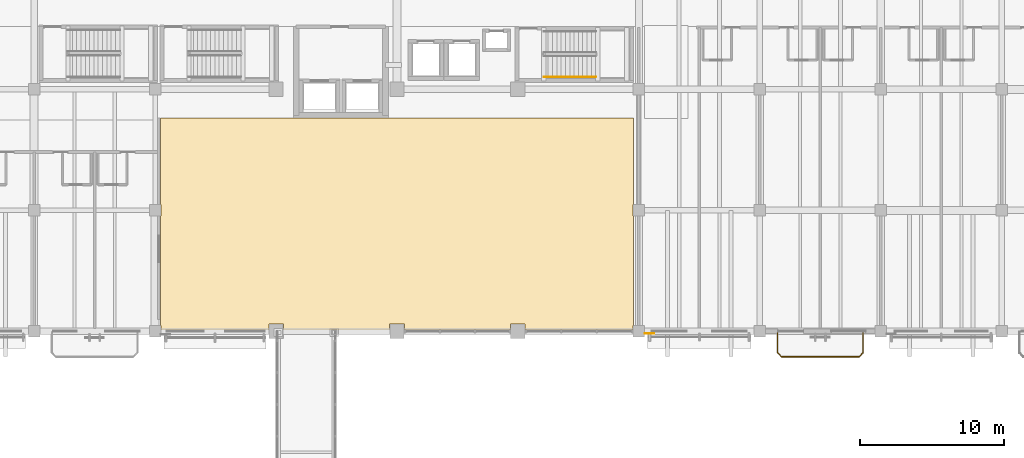
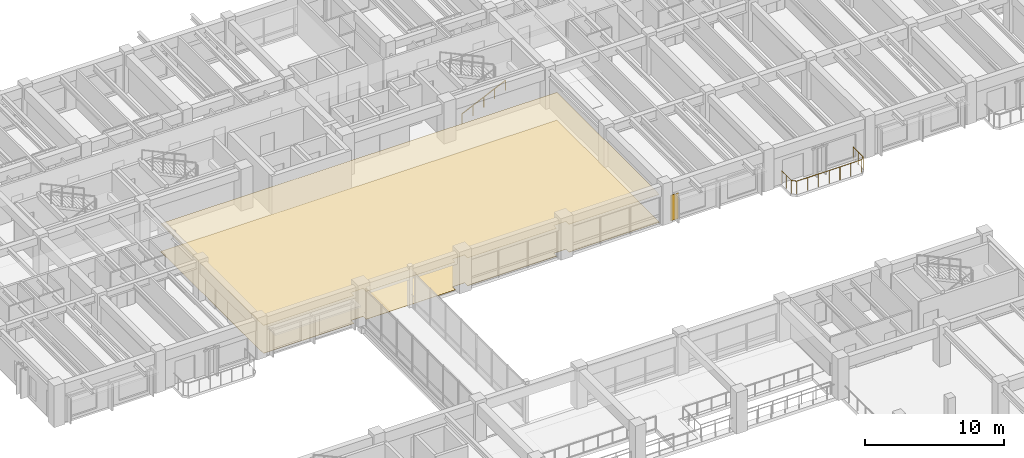
# One storey, part 101 of 118: 3 coverings, 2 railings.
"""IFC4 building model written with IfcOpenShell, lengths in metres."""

from ifc_helpers import new_model, si_unit, direction, frame, origin, origin_2d, place, context, subcontext, project, spatial, polyline, circle, outline, extrude, material, layer, layer_set, type_object, element, save


model = new_model("IFC4")

# Units and contexts
model_context = context("Model", 3, precision=1e-05, world=origin(), true_north=direction((0.0, 1.0)))
body_context = subcontext(model_context, "Body", "Model", "MODEL_VIEW")
ifc_project = project(units=[si_unit("LENGTHUNIT", "METRE"), si_unit("AREAUNIT", "SQUARE_METRE"), si_unit("VOLUMEUNIT", "CUBIC_METRE"), si_unit("PLANEANGLEUNIT", "RADIAN"), si_unit("MASSUNIT", "GRAM", prefix="KILO")], contexts=[model_context])

# Site, building, storey
site_placement = place(None, origin())
site = spatial("IfcSite", under=ifc_project, at=site_placement, CompositionType="ELEMENT")
building_placement = place(site_placement, origin())
building = spatial("IfcBuilding", under=site, at=building_placement, Name="Cumbredor Promenade Congress Hotel", CompositionType="ELEMENT")
storey_placement = place(building_placement, frame((0.0, 0.0, 3.919921875)))
storey = spatial("IfcBuildingStorey", under=building, at=storey_placement, Name="L01", CompositionType="ELEMENT", Elevation=3.919921875)

# Coverings
ifc_material_1 = material(Name="Acoustic mineral-fiber and gypsum ceiling")
ifc_layer_1 = layer(ifc_material_1, 0.01806640625, Name="Acoustic mineral-fiber and gypsum ceiling")
ifc_layer_set_1 = layer_set([ifc_layer_1], Name="Acoustic mineral-fiber and gypsum ceiling")
covering_type_1 = type_object("IfcCoveringType", Name="Acoustic Perforated Gypsum Ceiling CLG-01 18mm", PredefinedType="CEILING", material=ifc_layer_set_1)
covering_1_placement = place(storey_placement, frame((0.0, 0.0, 2.443115234375)))
element("IfcCovering", 1, at=covering_1_placement, inside=storey, type_object=covering_type_1, Name="Hotel Mezzanine Conference Ballroom Acoustic Ceiling", PredefinedType="CEILING", context=body_context, shape_type="SweptSolid", body=[
    extrude(outline(polyline([(33.094970703125, 84.080078125), (25.705078125, 84.080078125), (25.705078125, 84.5048828125), (24.695068359375, 84.5048828125), (24.695068359375, 84.080078125), (17.205078125, 84.080078125), (17.205078125, 84.405029296875), (17.179931640625, 84.405029296875), (17.179931640625, 91.9951171875), (17.205078125, 91.9951171875), (17.205078125, 92.804931640625), (17.179931640625, 92.804931640625), (17.179931640625, 98.820068359375), (50.02001953125, 98.820068359375), (50.02001953125, 92.804931640625), (49.9951171875, 92.804931640625), (49.9951171875, 91.9951171875), (50.02001953125, 91.9951171875), (50.02001953125, 84.405029296875), (49.9951171875, 84.405029296875), (49.9951171875, 84.080078125), (42.5048828125, 84.080078125), (42.5048828125, 84.5048828125), (41.4951171875, 84.5048828125), (41.4951171875, 84.080078125), (34.10498046875, 84.080078125), (34.10498046875, 84.5048828125), (33.094970703125, 84.5048828125), (33.094970703125, 84.080078125)])), origin(), (0.0, 0.0, 1.0), 0.01806640625),
])
ifc_material_2 = material(Name="Porcelain stoneware tile", Category="masonry")
ifc_layer_2 = layer(ifc_material_2, 0.02001953125, Name="Porcelain stoneware tile", Category="masonry")
ifc_layer_set_2 = layer_set([ifc_layer_2], Name="Porcelain stoneware tile")
covering_type_2 = type_object("IfcCoveringType", Name="Porcelain Stoneware Flooring FLR-01 20mm", PredefinedType="FLOORING", material=ifc_layer_set_2)
covering_2_placement = place(storey_placement, origin())
element("IfcCovering", 2, at=covering_2_placement, inside=storey, type_object=covering_type_2, Name="Hotel Mezzanine Conference Ballroom Porcelain Flooring", PredefinedType="FLOORING", context=body_context, shape_type="SweptSolid", body=[
    extrude(outline(polyline([(33.094970703125, 84.080078125), (25.705078125, 84.080078125), (25.705078125, 84.5048828125), (24.695068359375, 84.5048828125), (24.695068359375, 84.080078125), (17.205078125, 84.080078125), (17.205078125, 84.405029296875), (17.179931640625, 84.405029296875), (17.179931640625, 91.9951171875), (17.205078125, 91.9951171875), (17.205078125, 92.804931640625), (17.179931640625, 92.804931640625), (17.179931640625, 98.820068359375), (50.02001953125, 98.820068359375), (50.02001953125, 92.804931640625), (49.9951171875, 92.804931640625), (49.9951171875, 91.9951171875), (50.02001953125, 91.9951171875), (50.02001953125, 84.405029296875), (49.9951171875, 84.405029296875), (49.9951171875, 84.080078125), (42.5048828125, 84.080078125), (42.5048828125, 84.5048828125), (41.4951171875, 84.5048828125), (41.4951171875, 84.080078125), (34.10498046875, 84.080078125), (34.10498046875, 84.5048828125), (33.094970703125, 84.5048828125), (33.094970703125, 84.080078125)])), origin(), (0.0, 0.0, 1.0), 0.02001953125),
])

# Railings
ifc_material_3 = material(Name="Brushed stainless steel", Category="steel")
railing_type_1 = type_object("IfcRailingType", Name="Sky Garden Glass-and-Steel Balustrade BAL-1150", PredefinedType="BALUSTRADE", material=ifc_material_3)
railing_1_placement = place(storey_placement, frame((60.030029296875, 83.949951171875, 0.0)))
element("IfcRailing", 3, at=railing_1_placement, inside=storey, type_object=railing_type_1, Name="L01 Veranda Balcony Balustrade 002", PredefinedType="BALUSTRADE", context=body_context, shape_type="SweptSolid", body=[
    extrude(circle(Radius=0.02392578125, at=origin_2d()), frame((0.0, 0.0, 1.1259765625), z_axis=(0.0, -1.0, 0.0), x_axis=(1.0, 0.0, 0.0)), (0.0, 0.0, 1.0), 1.43994140625),
    extrude(circle(Radius=0.02392578125, at=origin_2d()), frame((0.0, -1.43994140625, 1.1259765625), z_axis=(0.707106781187, -0.707106781187, 0.0), x_axis=(0.707106781187, 0.707106781187, 0.0)), (0.0, 0.0, 1.0), 0.39599609375),
    extrude(circle(Radius=0.02392578125, at=origin_2d()), frame((0.280029296875, -1.719970703125, 1.1259765625), z_axis=(1.0, 0.0, 0.0), x_axis=(0.0, 1.0, 0.0)), (0.0, 0.0, 1.0), 5.3798828125),
    extrude(circle(Radius=0.02392578125, at=origin_2d()), frame((5.659912109375, -1.719970703125, 1.1259765625), z_axis=(0.707106781187, 0.707106781187, 0.0), x_axis=(-0.707106781187, 0.707106781187, 0.0)), (0.0, 0.0, 1.0), 0.39599609375),
    extrude(circle(Radius=0.02392578125, at=origin_2d()), frame((5.93994140625, -1.43994140625, 1.1259765625), z_axis=(0.0, 1.0, 0.0), x_axis=(-1.0, 0.0, 0.0)), (0.0, 0.0, 1.0), 1.43994140625),
    extrude(circle(Radius=0.02099609375, at=origin_2d()), origin(), (0.0, 0.0, 1.0), 1.101806640625),
    extrude(circle(Radius=0.02099609375, at=origin_2d()), frame((0.0, -0.719970703125, 0.0)), (0.0, 0.0, 1.0), 1.101806640625),
    extrude(circle(Radius=0.02099609375, at=origin_2d()), frame((0.0, -1.43994140625, 0.0)), (0.0, 0.0, 1.0), 1.101806640625),
    extrude(circle(Radius=0.02099609375, at=origin_2d()), frame((0.280029296875, -1.719970703125, 0.0)), (0.0, 0.0, 1.0), 1.101806640625),
    extrude(circle(Radius=0.02099609375, at=origin_2d()), frame((1.1767578125, -1.719970703125, 0.0)), (0.0, 0.0, 1.0), 1.101806640625),
    extrude(circle(Radius=0.02099609375, at=origin_2d()), frame((2.0732421875, -1.719970703125, 0.0)), (0.0, 0.0, 1.0), 1.101806640625),
    extrude(circle(Radius=0.02099609375, at=origin_2d()), frame((2.969970703125, -1.719970703125, 0.0)), (0.0, 0.0, 1.0), 1.101806640625),
    extrude(circle(Radius=0.02099609375, at=origin_2d()), frame((3.86669921875, -1.719970703125, 0.0)), (0.0, 0.0, 1.0), 1.101806640625),
    extrude(circle(Radius=0.02099609375, at=origin_2d()), frame((4.76318359375, -1.719970703125, 0.0)), (0.0, 0.0, 1.0), 1.101806640625),
    extrude(circle(Radius=0.02099609375, at=origin_2d()), frame((5.659912109375, -1.719970703125, 0.0)), (0.0, 0.0, 1.0), 1.101806640625),
    extrude(circle(Radius=0.02099609375, at=origin_2d()), frame((5.93994140625, -1.43994140625, 0.0)), (0.0, 0.0, 1.0), 1.101806640625),
    extrude(circle(Radius=0.02099609375, at=origin_2d()), frame((5.93994140625, -0.719970703125, 0.0)), (0.0, 0.0, 1.0), 1.101806640625),
    extrude(circle(Radius=0.02099609375, at=origin_2d()), frame((5.93994140625, 0.0, 0.0)), (0.0, 0.0, 1.0), 1.101806640625),
])
railing_type_2 = type_object("IfcRailingType", Name="Stair Pitch Handrail HR-900", PredefinedType="HANDRAIL", material=ifc_material_3)
railing_2_placement = place(storey_placement, frame((43.800048828125, 101.669921875, 0.14013671875)))
element("IfcRailing", 4, at=railing_2_placement, inside=storey, type_object=railing_type_2, Name="L01 ST-03 stair handrail 1", PredefinedType="HANDRAIL", context=body_context, shape_type="SweptSolid", body=[
    extrude(circle(Radius=0.02392578125, at=origin_2d()), frame((0.0, 0.0, 0.8759765625), z_axis=(0.906183139995, 0.0, 0.422885465331), x_axis=(0.0, 1.0, 0.0)), (0.0, 0.0, 1.0), 3.97265625),
    extrude(circle(Radius=0.02099609375, at=origin_2d()), origin(), (0.0, 0.0, 1.0), 0.851806640625),
    extrude(circle(Radius=0.02099609375, at=origin_2d()), frame((0.89990234375, 0.0, 0.419921875)), (0.0, 0.0, 1.0), 0.851806640625),
    extrude(circle(Radius=0.02099609375, at=origin_2d()), frame((1.7998046875, 0.0, 0.83984375)), (0.0, 0.0, 1.0), 0.851806640625),
    extrude(circle(Radius=0.02099609375, at=origin_2d()), frame((2.699951171875, 0.0, 1.260009765625)), (0.0, 0.0, 1.0), 0.851806640625),
    extrude(circle(Radius=0.02099609375, at=origin_2d()), frame((3.599853515625, 0.0, 1.679931640625)), (0.0, 0.0, 1.0), 0.851806640625),
])

# Covering
ifc_material_4 = material(Name="Volcanic andesite ashlar cladding", Category="masonry")
ifc_layer_3 = layer(ifc_material_4, 0.034912109375, Name="Volcanic andesite ashlar cladding", Category="masonry")
ifc_layer_set_3 = layer_set([ifc_layer_3], Name="Volcanic andesite ashlar cladding")
covering_type_3 = type_object("IfcCoveringType", Name="Volcanic Andesite Ashlar Rainscreen Cladding 35mm", PredefinedType="CLADDING", material=ifc_layer_set_3)
covering_3_placement = place(storey_placement, origin())
element("IfcCovering", 5, at=covering_3_placement, inside=storey, type_object=covering_type_3, Name="L01 Facade Stone Cladding Pier 083", PredefinedType="CLADDING", context=body_context, shape_type="SweptSolid", body=[
    extrude(outline(polyline([(50.801025390625, 83.860107421875), (51.450927734375, 83.860107421875), (51.450927734375, 83.824951171875), (50.801025390625, 83.824951171875), (50.801025390625, 83.860107421875)])), origin(), (0.0, 0.0, 1.0), 2.25),
])

save(model, "model.ifc")
